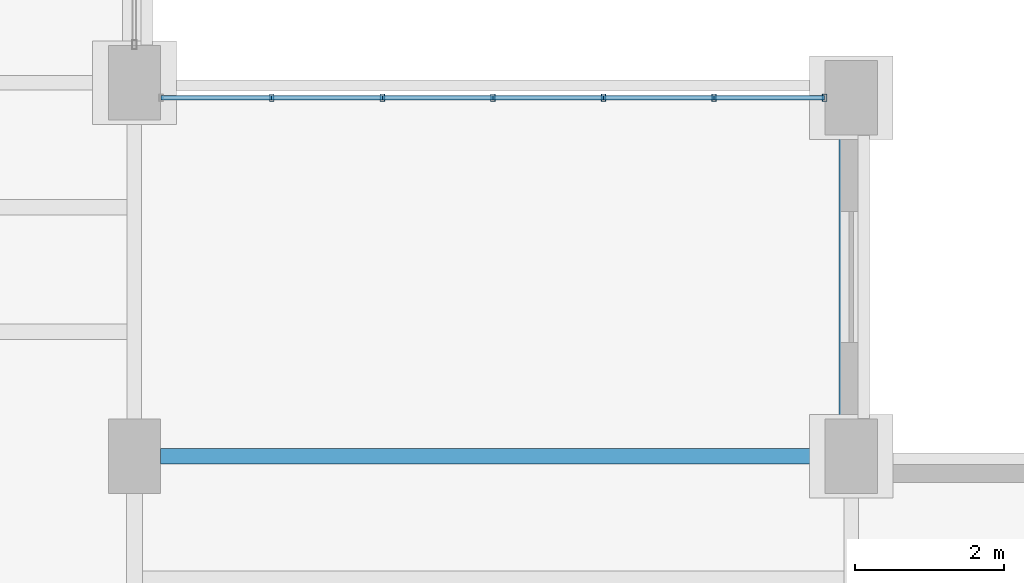
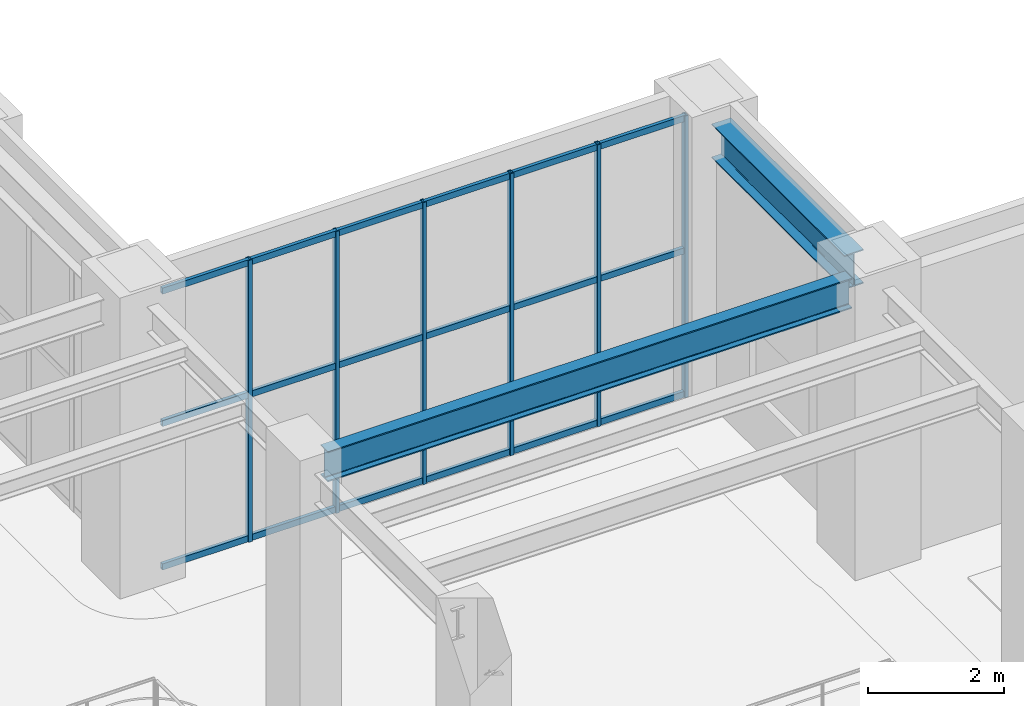
# One storey, part 110 of 164: 24 members, 2 beams, 1 element without a shape of its own.
"""IFC4 building model written with IfcOpenShell, lengths in metres."""

from ifc_helpers import new_model, si_unit, direction, frame, origin, origin_2d, place, context, subcontext, project, spatial, hollow_rectangle, i_section, extrude, material, material_profile, profile_set, type_object, element, aggregate, save


model = new_model("IFC4")

# Units and contexts
model_context = context("Model", 3, precision=1e-05, world=origin(), true_north=direction((0.0, 1.0)))
body_context = subcontext(model_context, "Body", "Model", "MODEL_VIEW")
ifc_project = project(units=[si_unit("LENGTHUNIT", "METRE"), si_unit("AREAUNIT", "SQUARE_METRE"), si_unit("VOLUMEUNIT", "CUBIC_METRE"), si_unit("PLANEANGLEUNIT", "RADIAN"), si_unit("MASSUNIT", "GRAM", prefix="KILO")], contexts=[model_context])

# Site, building, storey
site_placement = place(None, origin())
site = spatial("IfcSite", under=ifc_project, at=site_placement, CompositionType="ELEMENT")
building_placement = place(site_placement, origin())
building = spatial("IfcBuilding", under=site, at=building_placement, Name="Mavantir Sound Aquarium", CompositionType="ELEMENT")
storey_placement = place(building_placement, origin())
storey = spatial("IfcBuildingStorey", under=building, at=storey_placement, Name="L00", CompositionType="ELEMENT", Elevation=0.0)

# Beams
ifc_material_1 = material(Name="Structural Steel ASTM A992 Gr50", Category="steel")
ifc_material_profile_1 = material_profile(ifc_material_1, i_section(OverallWidth=0.2119140625, OverallDepth=0.5439453125, WebThickness=0.01318359375, FlangeThickness=0.021240234375, FilletRadius=0.01806640625, at=origin_2d()), Name="W530X123")
ifc_profile_set_1 = profile_set([ifc_material_profile_1], Name="Structural Steel ASTM A992 Gr50")
beam_type_1 = type_object("IfcBeamType", Name="BM-W530X123-I", PredefinedType="BEAM", material=ifc_profile_set_1)
beam_1_placement = place(storey_placement, frame((127.550048828125, 80.800048828125, 4.81396484375), z_axis=(1.0, 0.0, 0.0), x_axis=(0.0, 1.0, 0.0)))
element("IfcBeam", 1, at=beam_1_placement, inside=storey, type_object=beam_type_1, Name="L00 primary beam SB-53 950", PredefinedType="BEAM", context=body_context, shape_type="SweptSolid", body=[
    extrude(i_section(OverallWidth=0.2119140625, OverallDepth=0.5439453125, WebThickness=0.01318359375, FlangeThickness=0.021240234375, FilletRadius=0.01806640625, at=origin_2d()), origin(), (0.0, 0.0, 1.0), 8.89990234375),
])
ifc_material_profile_2 = material_profile(ifc_material_1, i_section(OverallWidth=0.323974609375, OverallDepth=0.611083984375, WebThickness=0.0126953125, FlangeThickness=0.01904296875, FilletRadius=0.01904296875, at=origin_2d()), Name="W610X155")
ifc_profile_set_2 = profile_set([ifc_material_profile_2], Name="Structural Steel ASTM A992 Gr50")
beam_type_2 = type_object("IfcBeamType", Name="BM-W610X155-I", PredefinedType="BEAM", material=ifc_profile_set_2)
beam_2_placement = place(storey_placement, frame((136.800048828125, 81.25, 4.780517578125), z_axis=(0.0, 1.0, 0.0), x_axis=(-1.0, 0.0, 0.0)))
element("IfcBeam", 2, at=beam_2_placement, inside=storey, type_object=beam_type_2, Name="L00 primary girder SB-61A 1003", PredefinedType="BEAM", context=body_context, shape_type="SweptSolid", body=[
    extrude(i_section(OverallWidth=0.323974609375, OverallDepth=0.611083984375, WebThickness=0.0126953125, FlangeThickness=0.01904296875, FilletRadius=0.01904296875, at=origin_2d()), origin(), (0.0, 0.0, 1.0), 3.89990234375),
])

# Curtain wall, members
ifc_material_2 = material(Name="Anodised Marine Aluminium and Low-E Glass", Category="aluminium")
curtain_wall_type = type_object("IfcCurtainWallType", Name="CW-T15", PredefinedType="USERDEFINED", material=ifc_material_2)
curtain_wall_placement = place(storey_placement, origin())
curtain_wall = element("IfcCurtainWall", 3, at=curtain_wall_placement, inside=storey, type_object=curtain_wall_type, Name="L00 unitised curtain wall CW-15 15", ObjectType="UNITISED GLAZING", PredefinedType="USERDEFINED")
ifc_material_3 = material(Name="Anodised Marine Aluminium 6063-T6", Category="aluminium")
ifc_material_profile_3 = material_profile(ifc_material_3, hollow_rectangle(XDim=0.06005859375, YDim=0.10009765625, WallThickness=0.00390625, at=origin_2d()), Name="ALU-MULLION-100X60")
ifc_profile_set_3 = profile_set([ifc_material_profile_3], Name="Anodised Marine Aluminium 6063-T6")
member_type_1 = type_object("IfcMemberType", Name="CW-MUL-100", PredefinedType="MULLION", material=ifc_profile_set_3)
member_1_placement = place(storey_placement, frame((136.44189453125, 85.60009765625, 0.0), z_axis=(0.0, 0.0, 1.0), x_axis=(1.0, 0.0, 0.0)))
member_1 = element("IfcMember", 4, at=member_1_placement, type_object=member_type_1, Name="CW-L00-015 vertical mullion 1", PredefinedType="MULLION", context=body_context, shape_type="SweptSolid", body=[
    extrude(hollow_rectangle(XDim=0.06005859375, YDim=0.10009765625, WallThickness=0.00390625, at=origin_2d()), origin(), (0.0, 0.0, 1.0), 5.06005859375),
])
member_2_placement = place(storey_placement, frame((134.961181640625, 85.60009765625, 0.0), z_axis=(0.0, 0.0, 1.0), x_axis=(1.0, 0.0, 0.0)))
member_2 = element("IfcMember", 5, at=member_2_placement, type_object=member_type_1, Name="CW-L00-015 vertical mullion 2", PredefinedType="MULLION", context=body_context, shape_type="SweptSolid", body=[
    extrude(hollow_rectangle(XDim=0.06005859375, YDim=0.10009765625, WallThickness=0.00390625, at=origin_2d()), origin(), (0.0, 0.0, 1.0), 5.06005859375),
])
member_3_placement = place(storey_placement, frame((133.480712890625, 85.60009765625, 0.0), z_axis=(0.0, 0.0, 1.0), x_axis=(1.0, 0.0, 0.0)))
member_3 = element("IfcMember", 6, at=member_3_placement, type_object=member_type_1, Name="CW-L00-015 vertical mullion 3", PredefinedType="MULLION", context=body_context, shape_type="SweptSolid", body=[
    extrude(hollow_rectangle(XDim=0.06005859375, YDim=0.10009765625, WallThickness=0.00390625, at=origin_2d()), origin(), (0.0, 0.0, 1.0), 5.06005859375),
])
member_4_placement = place(storey_placement, frame((132.0, 85.60009765625, 0.0), z_axis=(0.0, 0.0, 1.0), x_axis=(1.0, 0.0, 0.0)))
member_4 = element("IfcMember", 7, at=member_4_placement, type_object=member_type_1, Name="CW-L00-015 vertical mullion 4", PredefinedType="MULLION", context=body_context, shape_type="SweptSolid", body=[
    extrude(hollow_rectangle(XDim=0.06005859375, YDim=0.10009765625, WallThickness=0.00390625, at=origin_2d()), origin(), (0.0, 0.0, 1.0), 5.06005859375),
])
member_5_placement = place(storey_placement, frame((130.519287109375, 85.60009765625, 0.0), z_axis=(0.0, 0.0, 1.0), x_axis=(1.0, 0.0, 0.0)))
member_5 = element("IfcMember", 8, at=member_5_placement, type_object=member_type_1, Name="CW-L00-015 vertical mullion 5", PredefinedType="MULLION", context=body_context, shape_type="SweptSolid", body=[
    extrude(hollow_rectangle(XDim=0.06005859375, YDim=0.10009765625, WallThickness=0.00390625, at=origin_2d()), origin(), (0.0, 0.0, 1.0), 5.06005859375),
])
member_6_placement = place(storey_placement, frame((129.038818359375, 85.60009765625, 0.0), z_axis=(0.0, 0.0, 1.0), x_axis=(1.0, 0.0, 0.0)))
member_6 = element("IfcMember", 9, at=member_6_placement, type_object=member_type_1, Name="CW-L00-015 vertical mullion 6", PredefinedType="MULLION", context=body_context, shape_type="SweptSolid", body=[
    extrude(hollow_rectangle(XDim=0.06005859375, YDim=0.10009765625, WallThickness=0.00390625, at=origin_2d()), origin(), (0.0, 0.0, 1.0), 5.06005859375),
])
ifc_material_profile_4 = material_profile(ifc_material_3, hollow_rectangle(XDim=0.06005859375, YDim=0.110107421875, WallThickness=0.00390625, at=origin_2d()), Name="ALU-TRANSOM-110X60")
ifc_profile_set_4 = profile_set([ifc_material_profile_4], Name="Anodised Marine Aluminium 6063-T6")
member_type_2 = type_object("IfcMemberType", Name="CW-TRN-110", PredefinedType="USERDEFINED", material=ifc_profile_set_4)
member_7_placement = place(storey_placement, frame((136.44189453125, 85.60009765625, 0.054931640625), z_axis=(-1.0, 0.0, 0.0), x_axis=(0.0, -1.0, 0.0)))
member_7 = element("IfcMember", 10, at=member_7_placement, type_object=member_type_2, Name="CW-L00-015 transom 1.1", ObjectType="TRANSOM", PredefinedType="USERDEFINED", context=body_context, shape_type="SweptSolid", body=[
    extrude(hollow_rectangle(XDim=0.06005859375, YDim=0.110107421875, WallThickness=0.00390625, at=origin_2d()), origin(), (0.0, 0.0, 1.0), 1.480712890625),
])
member_8_placement = place(storey_placement, frame((136.44189453125, 85.60009765625, 2.631103515625), z_axis=(-1.0, 0.0, 0.0), x_axis=(0.0, -1.0, 0.0)))
member_8 = element("IfcMember", 11, at=member_8_placement, type_object=member_type_2, Name="CW-L00-015 transom 1.2", ObjectType="TRANSOM", PredefinedType="USERDEFINED", context=body_context, shape_type="SweptSolid", body=[
    extrude(hollow_rectangle(XDim=0.06005859375, YDim=0.110107421875, WallThickness=0.00390625, at=origin_2d()), origin(), (0.0, 0.0, 1.0), 1.480712890625),
])
member_9_placement = place(storey_placement, frame((136.44189453125, 85.60009765625, 5.0048828125), z_axis=(-1.0, 0.0, 0.0), x_axis=(0.0, -1.0, 0.0)))
member_9 = element("IfcMember", 12, at=member_9_placement, type_object=member_type_2, Name="CW-L00-015 transom 1.3", ObjectType="TRANSOM", PredefinedType="USERDEFINED", context=body_context, shape_type="SweptSolid", body=[
    extrude(hollow_rectangle(XDim=0.06005859375, YDim=0.110107421875, WallThickness=0.00390625, at=origin_2d()), origin(), (0.0, 0.0, 1.0), 1.480712890625),
])
member_10_placement = place(storey_placement, frame((134.961181640625, 85.60009765625, 0.054931640625), z_axis=(-1.0, 0.0, 0.0), x_axis=(0.0, -1.0, 0.0)))
member_10 = element("IfcMember", 13, at=member_10_placement, type_object=member_type_2, Name="CW-L00-015 transom 2.1", ObjectType="TRANSOM", PredefinedType="USERDEFINED", context=body_context, shape_type="SweptSolid", body=[
    extrude(hollow_rectangle(XDim=0.06005859375, YDim=0.110107421875, WallThickness=0.00390625, at=origin_2d()), origin(), (0.0, 0.0, 1.0), 1.48046875),
])
member_11_placement = place(storey_placement, frame((134.961181640625, 85.60009765625, 2.631103515625), z_axis=(-1.0, 0.0, 0.0), x_axis=(0.0, -1.0, 0.0)))
member_11 = element("IfcMember", 14, at=member_11_placement, type_object=member_type_2, Name="CW-L00-015 transom 2.2", ObjectType="TRANSOM", PredefinedType="USERDEFINED", context=body_context, shape_type="SweptSolid", body=[
    extrude(hollow_rectangle(XDim=0.06005859375, YDim=0.110107421875, WallThickness=0.00390625, at=origin_2d()), origin(), (0.0, 0.0, 1.0), 1.48046875),
])
member_12_placement = place(storey_placement, frame((134.961181640625, 85.60009765625, 5.0048828125), z_axis=(-1.0, 0.0, 0.0), x_axis=(0.0, -1.0, 0.0)))
member_12 = element("IfcMember", 15, at=member_12_placement, type_object=member_type_2, Name="CW-L00-015 transom 2.3", ObjectType="TRANSOM", PredefinedType="USERDEFINED", context=body_context, shape_type="SweptSolid", body=[
    extrude(hollow_rectangle(XDim=0.06005859375, YDim=0.110107421875, WallThickness=0.00390625, at=origin_2d()), origin(), (0.0, 0.0, 1.0), 1.48046875),
])
member_13_placement = place(storey_placement, frame((133.480712890625, 85.60009765625, 0.054931640625), z_axis=(-1.0, 0.0, 0.0), x_axis=(0.0, -1.0, 0.0)))
member_13 = element("IfcMember", 16, at=member_13_placement, type_object=member_type_2, Name="CW-L00-015 transom 3.1", ObjectType="TRANSOM", PredefinedType="USERDEFINED", context=body_context, shape_type="SweptSolid", body=[
    extrude(hollow_rectangle(XDim=0.06005859375, YDim=0.110107421875, WallThickness=0.00390625, at=origin_2d()), origin(), (0.0, 0.0, 1.0), 1.480712890625),
])
member_14_placement = place(storey_placement, frame((133.480712890625, 85.60009765625, 2.631103515625), z_axis=(-1.0, 0.0, 0.0), x_axis=(0.0, -1.0, 0.0)))
member_14 = element("IfcMember", 17, at=member_14_placement, type_object=member_type_2, Name="CW-L00-015 transom 3.2", ObjectType="TRANSOM", PredefinedType="USERDEFINED", context=body_context, shape_type="SweptSolid", body=[
    extrude(hollow_rectangle(XDim=0.06005859375, YDim=0.110107421875, WallThickness=0.00390625, at=origin_2d()), origin(), (0.0, 0.0, 1.0), 1.480712890625),
])
member_15_placement = place(storey_placement, frame((133.480712890625, 85.60009765625, 5.0048828125), z_axis=(-1.0, 0.0, 0.0), x_axis=(0.0, -1.0, 0.0)))
member_15 = element("IfcMember", 18, at=member_15_placement, type_object=member_type_2, Name="CW-L00-015 transom 3.3", ObjectType="TRANSOM", PredefinedType="USERDEFINED", context=body_context, shape_type="SweptSolid", body=[
    extrude(hollow_rectangle(XDim=0.06005859375, YDim=0.110107421875, WallThickness=0.00390625, at=origin_2d()), origin(), (0.0, 0.0, 1.0), 1.480712890625),
])
member_16_placement = place(storey_placement, frame((132.0, 85.60009765625, 0.054931640625), z_axis=(-1.0, 0.0, 0.0), x_axis=(0.0, -1.0, 0.0)))
member_16 = element("IfcMember", 19, at=member_16_placement, type_object=member_type_2, Name="CW-L00-015 transom 4.1", ObjectType="TRANSOM", PredefinedType="USERDEFINED", context=body_context, shape_type="SweptSolid", body=[
    extrude(hollow_rectangle(XDim=0.06005859375, YDim=0.110107421875, WallThickness=0.00390625, at=origin_2d()), origin(), (0.0, 0.0, 1.0), 1.480712890625),
])
member_17_placement = place(storey_placement, frame((132.0, 85.60009765625, 2.631103515625), z_axis=(-1.0, 0.0, 0.0), x_axis=(0.0, -1.0, 0.0)))
member_17 = element("IfcMember", 20, at=member_17_placement, type_object=member_type_2, Name="CW-L00-015 transom 4.2", ObjectType="TRANSOM", PredefinedType="USERDEFINED", context=body_context, shape_type="SweptSolid", body=[
    extrude(hollow_rectangle(XDim=0.06005859375, YDim=0.110107421875, WallThickness=0.00390625, at=origin_2d()), origin(), (0.0, 0.0, 1.0), 1.480712890625),
])
member_18_placement = place(storey_placement, frame((132.0, 85.60009765625, 5.0048828125), z_axis=(-1.0, 0.0, 0.0), x_axis=(0.0, -1.0, 0.0)))
member_18 = element("IfcMember", 21, at=member_18_placement, type_object=member_type_2, Name="CW-L00-015 transom 4.3", ObjectType="TRANSOM", PredefinedType="USERDEFINED", context=body_context, shape_type="SweptSolid", body=[
    extrude(hollow_rectangle(XDim=0.06005859375, YDim=0.110107421875, WallThickness=0.00390625, at=origin_2d()), origin(), (0.0, 0.0, 1.0), 1.480712890625),
])
member_19_placement = place(storey_placement, frame((130.519287109375, 85.60009765625, 0.054931640625), z_axis=(-1.0, 0.0, 0.0), x_axis=(0.0, -1.0, 0.0)))
member_19 = element("IfcMember", 22, at=member_19_placement, type_object=member_type_2, Name="CW-L00-015 transom 5.1", ObjectType="TRANSOM", PredefinedType="USERDEFINED", context=body_context, shape_type="SweptSolid", body=[
    extrude(hollow_rectangle(XDim=0.06005859375, YDim=0.110107421875, WallThickness=0.00390625, at=origin_2d()), origin(), (0.0, 0.0, 1.0), 1.48046875),
])
member_20_placement = place(storey_placement, frame((130.519287109375, 85.60009765625, 2.631103515625), z_axis=(-1.0, 0.0, 0.0), x_axis=(0.0, -1.0, 0.0)))
member_20 = element("IfcMember", 23, at=member_20_placement, type_object=member_type_2, Name="CW-L00-015 transom 5.2", ObjectType="TRANSOM", PredefinedType="USERDEFINED", context=body_context, shape_type="SweptSolid", body=[
    extrude(hollow_rectangle(XDim=0.06005859375, YDim=0.110107421875, WallThickness=0.00390625, at=origin_2d()), origin(), (0.0, 0.0, 1.0), 1.48046875),
])
member_21_placement = place(storey_placement, frame((130.519287109375, 85.60009765625, 5.0048828125), z_axis=(-1.0, 0.0, 0.0), x_axis=(0.0, -1.0, 0.0)))
member_21 = element("IfcMember", 24, at=member_21_placement, type_object=member_type_2, Name="CW-L00-015 transom 5.3", ObjectType="TRANSOM", PredefinedType="USERDEFINED", context=body_context, shape_type="SweptSolid", body=[
    extrude(hollow_rectangle(XDim=0.06005859375, YDim=0.110107421875, WallThickness=0.00390625, at=origin_2d()), origin(), (0.0, 0.0, 1.0), 1.48046875),
])
member_22_placement = place(storey_placement, frame((129.038818359375, 85.60009765625, 0.054931640625), z_axis=(-1.0, 0.0, 0.0), x_axis=(0.0, -1.0, 0.0)))
member_22 = element("IfcMember", 25, at=member_22_placement, type_object=member_type_2, Name="CW-L00-015 transom 6.1", ObjectType="TRANSOM", PredefinedType="USERDEFINED", context=body_context, shape_type="SweptSolid", body=[
    extrude(hollow_rectangle(XDim=0.06005859375, YDim=0.110107421875, WallThickness=0.00390625, at=origin_2d()), origin(), (0.0, 0.0, 1.0), 1.480712890625),
])
member_23_placement = place(storey_placement, frame((129.038818359375, 85.60009765625, 2.631103515625), z_axis=(-1.0, 0.0, 0.0), x_axis=(0.0, -1.0, 0.0)))
member_23 = element("IfcMember", 26, at=member_23_placement, type_object=member_type_2, Name="CW-L00-015 transom 6.2", ObjectType="TRANSOM", PredefinedType="USERDEFINED", context=body_context, shape_type="SweptSolid", body=[
    extrude(hollow_rectangle(XDim=0.06005859375, YDim=0.110107421875, WallThickness=0.00390625, at=origin_2d()), origin(), (0.0, 0.0, 1.0), 1.480712890625),
])
member_24_placement = place(storey_placement, frame((129.038818359375, 85.60009765625, 5.0048828125), z_axis=(-1.0, 0.0, 0.0), x_axis=(0.0, -1.0, 0.0)))
member_24 = element("IfcMember", 27, at=member_24_placement, type_object=member_type_2, Name="CW-L00-015 transom 6.3", ObjectType="TRANSOM", PredefinedType="USERDEFINED", context=body_context, shape_type="SweptSolid", body=[
    extrude(hollow_rectangle(XDim=0.06005859375, YDim=0.110107421875, WallThickness=0.00390625, at=origin_2d()), origin(), (0.0, 0.0, 1.0), 1.480712890625),
])
aggregate(curtain_wall, [member_1, member_2, member_3, member_4, member_5, member_6, member_7, member_8, member_9, member_10, member_11, member_12, member_13, member_14, member_15, member_16, member_17, member_18, member_19, member_20, member_21, member_22, member_23, member_24])

save(model, "model.ifc")
